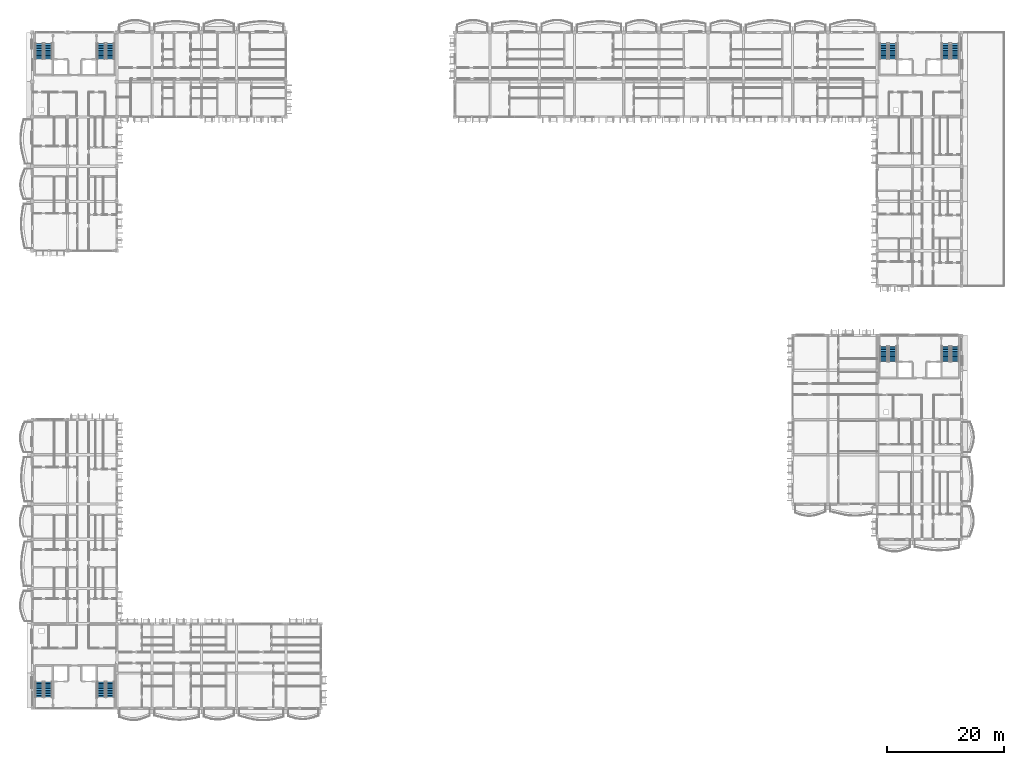
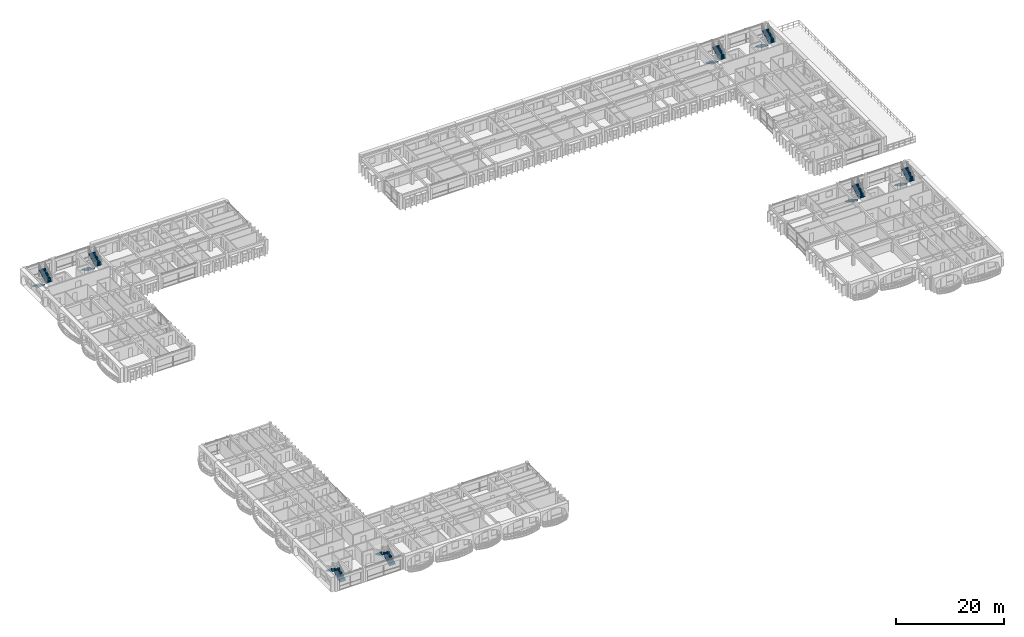
# One storey, part 46 of 68: 16 stair flights, 8 elements without a shape of their own.
"""IFC4 building model written with IfcOpenShell, lengths in metres."""

from ifc_helpers import new_model, si_unit, direction, frame, origin, place, context, subcontext, project, spatial, polyline, outline, extrude, material, type_object, element, aggregate, save


model = new_model("IFC4")

# Units and contexts
model_context = context("Model", 3, precision=1e-05, world=origin(), true_north=direction((0.0, 1.0)))
body_context = subcontext(model_context, "Body", "Model", "MODEL_VIEW")
ifc_project = project(units=[si_unit("LENGTHUNIT", "METRE"), si_unit("AREAUNIT", "SQUARE_METRE"), si_unit("VOLUMEUNIT", "CUBIC_METRE"), si_unit("PLANEANGLEUNIT", "RADIAN"), si_unit("MASSUNIT", "GRAM", prefix="KILO"), si_unit("THERMODYNAMICTEMPERATUREUNIT", "KELVIN")], contexts=[model_context])

# Site, building, storey
site_placement = place(None, origin())
site = spatial("IfcSite", under=ifc_project, at=site_placement, CompositionType="ELEMENT")
building_placement = place(site_placement, origin())
building = spatial("IfcBuilding", under=site, at=building_placement, Name="Thalorik Housing Commons", CompositionType="ELEMENT")
storey_placement = place(building_placement, frame((0.0, 0.0, 24.60009765625)))
storey = spatial("IfcBuildingStorey", under=building, at=storey_placement, Name="L07", CompositionType="ELEMENT", Elevation=24.60009765625)

# Stair, stair flights
ifc_material = material(Name="Precast concrete C40/50", Category="concrete")
stair_type = type_object("IfcStairType", Name="ARC-STR-1350-R20", PredefinedType="HALF_TURN_STAIR", material=ifc_material)
stair_1_placement = place(storey_placement, origin())
stair_1 = element("IfcStair", 1, at=stair_1_placement, inside=storey, type_object=stair_type, Name="L07 Block A Smoke-Proof Stair 1", PredefinedType="HALF_TURN_STAIR")
stair_flight_type = type_object("IfcStairFlightType", Name="ARC-SFLT-1350-R10", PredefinedType="STRAIGHT", material=ifc_material)
stair_flight_1_placement = place(storey_placement, frame((9.52490234375, 121.699951171875, 0.0), z_axis=(0.0, 0.0, 1.0), x_axis=(0.0, -1.0, 0.0)))
stair_flight_1 = element("IfcStairFlight", 2, at=stair_flight_1_placement, type_object=stair_flight_type, Name="ST-A1 flight 1", NumberOfRisers=10, NumberOfTreads=9, PredefinedType="STRAIGHT", RiserHeight=0.165, TreadLength=0.29, context=body_context, shape_type="SweptSolid", body=[
    extrude(outline(polyline([(0.0, 0.0), (0.0, 0.1650390625), (0.2900390625, 0.1650390625), (0.2900390625, 0.330078125), (0.580078125, 0.330078125), (0.580078125, 0.4951171875), (0.8701171875, 0.4951171875), (0.8701171875, 0.659912109375), (1.159912109375, 0.659912109375), (1.159912109375, 0.824951171875), (1.449951171875, 0.824951171875), (1.449951171875, 0.989990234375), (1.739990234375, 0.989990234375), (1.739990234375, 1.155029296875), (2.030029296875, 1.155029296875), (2.030029296875, 1.320068359375), (2.320068359375, 1.320068359375), (2.320068359375, 1.485107421875), (2.610107421875, 1.485107421875), (2.610107421875, 1.64990234375), (2.610107421875, 1.301025390625), (0.323486328125, 0.0), (0.0, 0.0)])), frame((0.0, 0.675048828125, 0.0), z_axis=(0.0, -1.0, 0.0), x_axis=(1.0, 0.0, 0.0)), (0.0, 0.0, 1.0), 1.35009765625),
])
stair_flight_2_placement = place(storey_placement, frame((11.074951171875, 119.090087890625, 1.64990234375), z_axis=(0.0, 0.0, 1.0), x_axis=(0.0, 1.0, 0.0)))
stair_flight_2 = element("IfcStairFlight", 3, at=stair_flight_2_placement, type_object=stair_flight_type, Name="ST-A1 flight 2", NumberOfRisers=10, NumberOfTreads=9, PredefinedType="STRAIGHT", RiserHeight=0.165, TreadLength=0.29, context=body_context, shape_type="SweptSolid", body=[
    extrude(outline(polyline([(0.0, 0.0), (0.0, 0.1650390625), (0.2900390625, 0.1650390625), (0.2900390625, 0.330078125), (0.580078125, 0.330078125), (0.580078125, 0.4951171875), (0.8701171875, 0.4951171875), (0.8701171875, 0.659912109375), (1.159912109375, 0.659912109375), (1.159912109375, 0.824951171875), (1.449951171875, 0.824951171875), (1.449951171875, 0.989990234375), (1.739990234375, 0.989990234375), (1.739990234375, 1.155029296875), (2.030029296875, 1.155029296875), (2.030029296875, 1.320068359375), (2.320068359375, 1.320068359375), (2.320068359375, 1.485107421875), (2.610107421875, 1.485107421875), (2.610107421875, 1.64990234375), (2.610107421875, 1.301025390625), (0.323486328125, 0.0), (0.0, 0.0)])), frame((0.0, 0.675048828125, 0.0), z_axis=(0.0, -1.0, 0.0), x_axis=(1.0, 0.0, 0.0)), (0.0, 0.0, 1.0), 1.35009765625),
])
aggregate(stair_1, [stair_flight_1, stair_flight_2])

stair_2_placement = place(storey_placement, origin())
stair_2 = element("IfcStair", 4, at=stair_2_placement, inside=storey, type_object=stair_type, Name="L07 Block A Smoke-Proof Stair 2", PredefinedType="HALF_TURN_STAIR")
stair_flight_3_placement = place(storey_placement, frame((20.125, 121.699951171875, 0.0), z_axis=(0.0, 0.0, 1.0), x_axis=(0.0, -1.0, 0.0)))
stair_flight_3 = element("IfcStairFlight", 5, at=stair_flight_3_placement, type_object=stair_flight_type, Name="ST-A2 flight 1", NumberOfRisers=10, NumberOfTreads=9, PredefinedType="STRAIGHT", RiserHeight=0.165, TreadLength=0.29, context=body_context, shape_type="SweptSolid", body=[
    extrude(outline(polyline([(0.0, 0.0), (0.0, 0.1650390625), (0.2900390625, 0.1650390625), (0.2900390625, 0.330078125), (0.580078125, 0.330078125), (0.580078125, 0.4951171875), (0.8701171875, 0.4951171875), (0.8701171875, 0.659912109375), (1.159912109375, 0.659912109375), (1.159912109375, 0.824951171875), (1.449951171875, 0.824951171875), (1.449951171875, 0.989990234375), (1.739990234375, 0.989990234375), (1.739990234375, 1.155029296875), (2.030029296875, 1.155029296875), (2.030029296875, 1.320068359375), (2.320068359375, 1.320068359375), (2.320068359375, 1.485107421875), (2.610107421875, 1.485107421875), (2.610107421875, 1.64990234375), (2.610107421875, 1.301025390625), (0.323486328125, 0.0), (0.0, 0.0)])), frame((0.0, 0.675048828125, 0.0), z_axis=(0.0, -1.0, 0.0), x_axis=(1.0, 0.0, 0.0)), (0.0, 0.0, 1.0), 1.35009765625),
])
stair_flight_4_placement = place(storey_placement, frame((21.675048828125, 119.090087890625, 1.64990234375), z_axis=(0.0, 0.0, 1.0), x_axis=(0.0, 1.0, 0.0)))
stair_flight_4 = element("IfcStairFlight", 6, at=stair_flight_4_placement, type_object=stair_flight_type, Name="ST-A2 flight 2", NumberOfRisers=10, NumberOfTreads=9, PredefinedType="STRAIGHT", RiserHeight=0.165, TreadLength=0.29, context=body_context, shape_type="SweptSolid", body=[
    extrude(outline(polyline([(0.0, 0.0), (0.0, 0.1650390625), (0.2900390625, 0.1650390625), (0.2900390625, 0.330078125), (0.580078125, 0.330078125), (0.580078125, 0.4951171875), (0.8701171875, 0.4951171875), (0.8701171875, 0.659912109375), (1.159912109375, 0.659912109375), (1.159912109375, 0.824951171875), (1.449951171875, 0.824951171875), (1.449951171875, 0.989990234375), (1.739990234375, 0.989990234375), (1.739990234375, 1.155029296875), (2.030029296875, 1.155029296875), (2.030029296875, 1.320068359375), (2.320068359375, 1.320068359375), (2.320068359375, 1.485107421875), (2.610107421875, 1.485107421875), (2.610107421875, 1.64990234375), (2.610107421875, 1.301025390625), (0.323486328125, 0.0), (0.0, 0.0)])), frame((0.0, 0.675048828125, 0.0), z_axis=(0.0, -1.0, 0.0), x_axis=(1.0, 0.0, 0.0)), (0.0, 0.0, 1.0), 1.35009765625),
])
aggregate(stair_2, [stair_flight_3, stair_flight_4])

stair_3_placement = place(storey_placement, origin())
stair_3 = element("IfcStair", 7, at=stair_3_placement, inside=storey, type_object=stair_type, Name="L07 Block B Smoke-Proof Stair 1", PredefinedType="HALF_TURN_STAIR")
stair_flight_5_placement = place(storey_placement, frame((153.52490234375, 121.699951171875, 0.0), z_axis=(0.0, 0.0, 1.0), x_axis=(0.0, -1.0, 0.0)))
stair_flight_5 = element("IfcStairFlight", 8, at=stair_flight_5_placement, type_object=stair_flight_type, Name="ST-B1 flight 1", NumberOfRisers=10, NumberOfTreads=9, PredefinedType="STRAIGHT", RiserHeight=0.165, TreadLength=0.29, context=body_context, shape_type="SweptSolid", body=[
    extrude(outline(polyline([(0.0, 0.0), (0.0, 0.1650390625), (0.2900390625, 0.1650390625), (0.2900390625, 0.330078125), (0.580078125, 0.330078125), (0.580078125, 0.4951171875), (0.8701171875, 0.4951171875), (0.8701171875, 0.659912109375), (1.159912109375, 0.659912109375), (1.159912109375, 0.824951171875), (1.449951171875, 0.824951171875), (1.449951171875, 0.989990234375), (1.739990234375, 0.989990234375), (1.739990234375, 1.155029296875), (2.030029296875, 1.155029296875), (2.030029296875, 1.320068359375), (2.320068359375, 1.320068359375), (2.320068359375, 1.485107421875), (2.610107421875, 1.485107421875), (2.610107421875, 1.64990234375), (2.610107421875, 1.301025390625), (0.323486328125, 0.0), (0.0, 0.0)])), frame((0.0, 0.675048828125, 0.0), z_axis=(0.0, -1.0, 0.0), x_axis=(1.0, 0.0, 0.0)), (0.0, 0.0, 1.0), 1.35009765625),
])
stair_flight_6_placement = place(storey_placement, frame((155.074951171875, 119.090087890625, 1.64990234375), z_axis=(0.0, 0.0, 1.0), x_axis=(0.0, 1.0, 0.0)))
stair_flight_6 = element("IfcStairFlight", 9, at=stair_flight_6_placement, type_object=stair_flight_type, Name="ST-B1 flight 2", NumberOfRisers=10, NumberOfTreads=9, PredefinedType="STRAIGHT", RiserHeight=0.165, TreadLength=0.29, context=body_context, shape_type="SweptSolid", body=[
    extrude(outline(polyline([(0.0, 0.0), (0.0, 0.1650390625), (0.2900390625, 0.1650390625), (0.2900390625, 0.330078125), (0.580078125, 0.330078125), (0.580078125, 0.4951171875), (0.8701171875, 0.4951171875), (0.8701171875, 0.659912109375), (1.159912109375, 0.659912109375), (1.159912109375, 0.824951171875), (1.449951171875, 0.824951171875), (1.449951171875, 0.989990234375), (1.739990234375, 0.989990234375), (1.739990234375, 1.155029296875), (2.030029296875, 1.155029296875), (2.030029296875, 1.320068359375), (2.320068359375, 1.320068359375), (2.320068359375, 1.485107421875), (2.610107421875, 1.485107421875), (2.610107421875, 1.64990234375), (2.610107421875, 1.301025390625), (0.323486328125, 0.0), (0.0, 0.0)])), frame((0.0, 0.675048828125, 0.0), z_axis=(0.0, -1.0, 0.0), x_axis=(1.0, 0.0, 0.0)), (0.0, 0.0, 1.0), 1.35009765625),
])
aggregate(stair_3, [stair_flight_5, stair_flight_6])

stair_4_placement = place(storey_placement, origin())
stair_4 = element("IfcStair", 10, at=stair_4_placement, inside=storey, type_object=stair_type, Name="L07 Block B Smoke-Proof Stair 2", PredefinedType="HALF_TURN_STAIR")
stair_flight_7_placement = place(storey_placement, frame((164.125, 121.699951171875, 0.0), z_axis=(0.0, 0.0, 1.0), x_axis=(0.0, -1.0, 0.0)))
stair_flight_7 = element("IfcStairFlight", 11, at=stair_flight_7_placement, type_object=stair_flight_type, Name="ST-B2 flight 1", NumberOfRisers=10, NumberOfTreads=9, PredefinedType="STRAIGHT", RiserHeight=0.165, TreadLength=0.29, context=body_context, shape_type="SweptSolid", body=[
    extrude(outline(polyline([(0.0, 0.0), (0.0, 0.1650390625), (0.2900390625, 0.1650390625), (0.2900390625, 0.330078125), (0.580078125, 0.330078125), (0.580078125, 0.4951171875), (0.8701171875, 0.4951171875), (0.8701171875, 0.659912109375), (1.159912109375, 0.659912109375), (1.159912109375, 0.824951171875), (1.449951171875, 0.824951171875), (1.449951171875, 0.989990234375), (1.739990234375, 0.989990234375), (1.739990234375, 1.155029296875), (2.030029296875, 1.155029296875), (2.030029296875, 1.320068359375), (2.320068359375, 1.320068359375), (2.320068359375, 1.485107421875), (2.610107421875, 1.485107421875), (2.610107421875, 1.64990234375), (2.610107421875, 1.301025390625), (0.323486328125, 0.0), (0.0, 0.0)])), frame((0.0, 0.675048828125, 0.0), z_axis=(0.0, -1.0, 0.0), x_axis=(1.0, 0.0, 0.0)), (0.0, 0.0, 1.0), 1.35009765625),
])
stair_flight_8_placement = place(storey_placement, frame((165.675048828125, 119.090087890625, 1.64990234375), z_axis=(0.0, 0.0, 1.0), x_axis=(0.0, 1.0, 0.0)))
stair_flight_8 = element("IfcStairFlight", 12, at=stair_flight_8_placement, type_object=stair_flight_type, Name="ST-B2 flight 2", NumberOfRisers=10, NumberOfTreads=9, PredefinedType="STRAIGHT", RiserHeight=0.165, TreadLength=0.29, context=body_context, shape_type="SweptSolid", body=[
    extrude(outline(polyline([(0.0, 0.0), (0.0, 0.1650390625), (0.2900390625, 0.1650390625), (0.2900390625, 0.330078125), (0.580078125, 0.330078125), (0.580078125, 0.4951171875), (0.8701171875, 0.4951171875), (0.8701171875, 0.659912109375), (1.159912109375, 0.659912109375), (1.159912109375, 0.824951171875), (1.449951171875, 0.824951171875), (1.449951171875, 0.989990234375), (1.739990234375, 0.989990234375), (1.739990234375, 1.155029296875), (2.030029296875, 1.155029296875), (2.030029296875, 1.320068359375), (2.320068359375, 1.320068359375), (2.320068359375, 1.485107421875), (2.610107421875, 1.485107421875), (2.610107421875, 1.64990234375), (2.610107421875, 1.301025390625), (0.323486328125, 0.0), (0.0, 0.0)])), frame((0.0, 0.675048828125, 0.0), z_axis=(0.0, -1.0, 0.0), x_axis=(1.0, 0.0, 0.0)), (0.0, 0.0, 1.0), 1.35009765625),
])
aggregate(stair_4, [stair_flight_7, stair_flight_8])

stair_5_placement = place(storey_placement, origin())
stair_5 = element("IfcStair", 13, at=stair_5_placement, inside=storey, type_object=stair_type, Name="L07 Block C Smoke-Proof Stair 1", PredefinedType="HALF_TURN_STAIR")
stair_flight_9_placement = place(storey_placement, frame((11.074951171875, 10.300048828125, 0.0), z_axis=(0.0, 0.0, 1.0), x_axis=(0.0, 1.0, 0.0)))
stair_flight_9 = element("IfcStairFlight", 14, at=stair_flight_9_placement, type_object=stair_flight_type, Name="ST-C1 flight 1", NumberOfRisers=10, NumberOfTreads=9, PredefinedType="STRAIGHT", RiserHeight=0.165, TreadLength=0.29, context=body_context, shape_type="SweptSolid", body=[
    extrude(outline(polyline([(0.0, 0.0), (0.0, 0.1650390625), (0.2900390625, 0.1650390625), (0.2900390625, 0.330078125), (0.580078125, 0.330078125), (0.580078125, 0.4951171875), (0.8701171875, 0.4951171875), (0.8701171875, 0.659912109375), (1.159912109375, 0.659912109375), (1.159912109375, 0.824951171875), (1.449951171875, 0.824951171875), (1.449951171875, 0.989990234375), (1.739990234375, 0.989990234375), (1.739990234375, 1.155029296875), (2.030029296875, 1.155029296875), (2.030029296875, 1.320068359375), (2.320068359375, 1.320068359375), (2.320068359375, 1.485107421875), (2.610107421875, 1.485107421875), (2.610107421875, 1.64990234375), (2.610107421875, 1.301025390625), (0.323486328125, 0.0), (0.0, 0.0)])), frame((0.0, 0.675048828125, 0.0), z_axis=(0.0, -1.0, 0.0), x_axis=(1.0, 0.0, 0.0)), (0.0, 0.0, 1.0), 1.35009765625),
])
stair_flight_10_placement = place(storey_placement, frame((9.52490234375, 12.909912109375, 1.64990234375), z_axis=(0.0, 0.0, 1.0), x_axis=(0.0, -1.0, 0.0)))
stair_flight_10 = element("IfcStairFlight", 15, at=stair_flight_10_placement, type_object=stair_flight_type, Name="ST-C1 flight 2", NumberOfRisers=10, NumberOfTreads=9, PredefinedType="STRAIGHT", RiserHeight=0.165, TreadLength=0.29, context=body_context, shape_type="SweptSolid", body=[
    extrude(outline(polyline([(0.0, 0.0), (0.0, 0.1650390625), (0.2900390625, 0.1650390625), (0.2900390625, 0.330078125), (0.580078125, 0.330078125), (0.580078125, 0.4951171875), (0.8701171875, 0.4951171875), (0.8701171875, 0.659912109375), (1.159912109375, 0.659912109375), (1.159912109375, 0.824951171875), (1.449951171875, 0.824951171875), (1.449951171875, 0.989990234375), (1.739990234375, 0.989990234375), (1.739990234375, 1.155029296875), (2.030029296875, 1.155029296875), (2.030029296875, 1.320068359375), (2.320068359375, 1.320068359375), (2.320068359375, 1.485107421875), (2.610107421875, 1.485107421875), (2.610107421875, 1.64990234375), (2.610107421875, 1.301025390625), (0.323486328125, 0.0), (0.0, 0.0)])), frame((0.0, 0.675048828125, 0.0), z_axis=(0.0, -1.0, 0.0), x_axis=(1.0, 0.0, 0.0)), (0.0, 0.0, 1.0), 1.35009765625),
])
aggregate(stair_5, [stair_flight_9, stair_flight_10])

stair_6_placement = place(storey_placement, origin())
stair_6 = element("IfcStair", 16, at=stair_6_placement, inside=storey, type_object=stair_type, Name="L07 Block C Smoke-Proof Stair 2", PredefinedType="HALF_TURN_STAIR")
stair_flight_11_placement = place(storey_placement, frame((21.675048828125, 10.300048828125, 0.0), z_axis=(0.0, 0.0, 1.0), x_axis=(0.0, 1.0, 0.0)))
stair_flight_11 = element("IfcStairFlight", 17, at=stair_flight_11_placement, type_object=stair_flight_type, Name="ST-C2 flight 1", NumberOfRisers=10, NumberOfTreads=9, PredefinedType="STRAIGHT", RiserHeight=0.165, TreadLength=0.29, context=body_context, shape_type="SweptSolid", body=[
    extrude(outline(polyline([(0.0, 0.0), (0.0, 0.1650390625), (0.2900390625, 0.1650390625), (0.2900390625, 0.330078125), (0.580078125, 0.330078125), (0.580078125, 0.4951171875), (0.8701171875, 0.4951171875), (0.8701171875, 0.659912109375), (1.159912109375, 0.659912109375), (1.159912109375, 0.824951171875), (1.449951171875, 0.824951171875), (1.449951171875, 0.989990234375), (1.739990234375, 0.989990234375), (1.739990234375, 1.155029296875), (2.030029296875, 1.155029296875), (2.030029296875, 1.320068359375), (2.320068359375, 1.320068359375), (2.320068359375, 1.485107421875), (2.610107421875, 1.485107421875), (2.610107421875, 1.64990234375), (2.610107421875, 1.301025390625), (0.323486328125, 0.0), (0.0, 0.0)])), frame((0.0, 0.675048828125, 0.0), z_axis=(0.0, -1.0, 0.0), x_axis=(1.0, 0.0, 0.0)), (0.0, 0.0, 1.0), 1.35009765625),
])
stair_flight_12_placement = place(storey_placement, frame((20.125, 12.909912109375, 1.64990234375), z_axis=(0.0, 0.0, 1.0), x_axis=(0.0, -1.0, 0.0)))
stair_flight_12 = element("IfcStairFlight", 18, at=stair_flight_12_placement, type_object=stair_flight_type, Name="ST-C2 flight 2", NumberOfRisers=10, NumberOfTreads=9, PredefinedType="STRAIGHT", RiserHeight=0.165, TreadLength=0.29, context=body_context, shape_type="SweptSolid", body=[
    extrude(outline(polyline([(0.0, 0.0), (0.0, 0.1650390625), (0.2900390625, 0.1650390625), (0.2900390625, 0.330078125), (0.580078125, 0.330078125), (0.580078125, 0.4951171875), (0.8701171875, 0.4951171875), (0.8701171875, 0.659912109375), (1.159912109375, 0.659912109375), (1.159912109375, 0.824951171875), (1.449951171875, 0.824951171875), (1.449951171875, 0.989990234375), (1.739990234375, 0.989990234375), (1.739990234375, 1.155029296875), (2.030029296875, 1.155029296875), (2.030029296875, 1.320068359375), (2.320068359375, 1.320068359375), (2.320068359375, 1.485107421875), (2.610107421875, 1.485107421875), (2.610107421875, 1.64990234375), (2.610107421875, 1.301025390625), (0.323486328125, 0.0), (0.0, 0.0)])), frame((0.0, 0.675048828125, 0.0), z_axis=(0.0, -1.0, 0.0), x_axis=(1.0, 0.0, 0.0)), (0.0, 0.0, 1.0), 1.35009765625),
])
aggregate(stair_6, [stair_flight_11, stair_flight_12])

stair_7_placement = place(storey_placement, origin())
stair_7 = element("IfcStair", 19, at=stair_7_placement, inside=storey, type_object=stair_type, Name="L07 Block D Smoke-Proof Stair 1", PredefinedType="HALF_TURN_STAIR")
stair_flight_13_placement = place(storey_placement, frame((153.52490234375, 70.10009765625, 0.0), z_axis=(0.0, 0.0, 1.0), x_axis=(0.0, -1.0, 0.0)))
stair_flight_13 = element("IfcStairFlight", 20, at=stair_flight_13_placement, type_object=stair_flight_type, Name="ST-D1 flight 1", NumberOfRisers=10, NumberOfTreads=9, PredefinedType="STRAIGHT", RiserHeight=0.165, TreadLength=0.29, context=body_context, shape_type="SweptSolid", body=[
    extrude(outline(polyline([(0.0, 0.0), (0.0, 0.1650390625), (0.2900390625, 0.1650390625), (0.2900390625, 0.330078125), (0.580078125, 0.330078125), (0.580078125, 0.4951171875), (0.8701171875, 0.4951171875), (0.8701171875, 0.659912109375), (1.159912109375, 0.659912109375), (1.159912109375, 0.824951171875), (1.449951171875, 0.824951171875), (1.449951171875, 0.989990234375), (1.739990234375, 0.989990234375), (1.739990234375, 1.155029296875), (2.030029296875, 1.155029296875), (2.030029296875, 1.320068359375), (2.320068359375, 1.320068359375), (2.320068359375, 1.485107421875), (2.610107421875, 1.485107421875), (2.610107421875, 1.64990234375), (2.610107421875, 1.301025390625), (0.323486328125, 0.0), (0.0, 0.0)])), frame((0.0, 0.675048828125, 0.0), z_axis=(0.0, -1.0, 0.0), x_axis=(1.0, 0.0, 0.0)), (0.0, 0.0, 1.0), 1.35009765625),
])
stair_flight_14_placement = place(storey_placement, frame((155.074951171875, 67.489990234375, 1.64990234375), z_axis=(0.0, 0.0, 1.0), x_axis=(0.0, 1.0, 0.0)))
stair_flight_14 = element("IfcStairFlight", 21, at=stair_flight_14_placement, type_object=stair_flight_type, Name="ST-D1 flight 2", NumberOfRisers=10, NumberOfTreads=9, PredefinedType="STRAIGHT", RiserHeight=0.165, TreadLength=0.29, context=body_context, shape_type="SweptSolid", body=[
    extrude(outline(polyline([(0.0, 0.0), (0.0, 0.1650390625), (0.2900390625, 0.1650390625), (0.2900390625, 0.330078125), (0.580078125, 0.330078125), (0.580078125, 0.4951171875), (0.8701171875, 0.4951171875), (0.8701171875, 0.659912109375), (1.159912109375, 0.659912109375), (1.159912109375, 0.824951171875), (1.449951171875, 0.824951171875), (1.449951171875, 0.989990234375), (1.739990234375, 0.989990234375), (1.739990234375, 1.155029296875), (2.030029296875, 1.155029296875), (2.030029296875, 1.320068359375), (2.320068359375, 1.320068359375), (2.320068359375, 1.485107421875), (2.610107421875, 1.485107421875), (2.610107421875, 1.64990234375), (2.610107421875, 1.301025390625), (0.323486328125, 0.0), (0.0, 0.0)])), frame((0.0, 0.675048828125, 0.0), z_axis=(0.0, -1.0, 0.0), x_axis=(1.0, 0.0, 0.0)), (0.0, 0.0, 1.0), 1.35009765625),
])
aggregate(stair_7, [stair_flight_13, stair_flight_14])

stair_8_placement = place(storey_placement, origin())
stair_8 = element("IfcStair", 22, at=stair_8_placement, inside=storey, type_object=stair_type, Name="L07 Block D Smoke-Proof Stair 2", PredefinedType="HALF_TURN_STAIR")
stair_flight_15_placement = place(storey_placement, frame((164.125, 70.10009765625, 0.0), z_axis=(0.0, 0.0, 1.0), x_axis=(0.0, -1.0, 0.0)))
stair_flight_15 = element("IfcStairFlight", 23, at=stair_flight_15_placement, type_object=stair_flight_type, Name="ST-D2 flight 1", NumberOfRisers=10, NumberOfTreads=9, PredefinedType="STRAIGHT", RiserHeight=0.165, TreadLength=0.29, context=body_context, shape_type="SweptSolid", body=[
    extrude(outline(polyline([(0.0, 0.0), (0.0, 0.1650390625), (0.2900390625, 0.1650390625), (0.2900390625, 0.330078125), (0.580078125, 0.330078125), (0.580078125, 0.4951171875), (0.8701171875, 0.4951171875), (0.8701171875, 0.659912109375), (1.159912109375, 0.659912109375), (1.159912109375, 0.824951171875), (1.449951171875, 0.824951171875), (1.449951171875, 0.989990234375), (1.739990234375, 0.989990234375), (1.739990234375, 1.155029296875), (2.030029296875, 1.155029296875), (2.030029296875, 1.320068359375), (2.320068359375, 1.320068359375), (2.320068359375, 1.485107421875), (2.610107421875, 1.485107421875), (2.610107421875, 1.64990234375), (2.610107421875, 1.301025390625), (0.323486328125, 0.0), (0.0, 0.0)])), frame((0.0, 0.675048828125, 0.0), z_axis=(0.0, -1.0, 0.0), x_axis=(1.0, 0.0, 0.0)), (0.0, 0.0, 1.0), 1.35009765625),
])
stair_flight_16_placement = place(storey_placement, frame((165.675048828125, 67.489990234375, 1.64990234375), z_axis=(0.0, 0.0, 1.0), x_axis=(0.0, 1.0, 0.0)))
stair_flight_16 = element("IfcStairFlight", 24, at=stair_flight_16_placement, type_object=stair_flight_type, Name="ST-D2 flight 2", NumberOfRisers=10, NumberOfTreads=9, PredefinedType="STRAIGHT", RiserHeight=0.165, TreadLength=0.29, context=body_context, shape_type="SweptSolid", body=[
    extrude(outline(polyline([(0.0, 0.0), (0.0, 0.1650390625), (0.2900390625, 0.1650390625), (0.2900390625, 0.330078125), (0.580078125, 0.330078125), (0.580078125, 0.4951171875), (0.8701171875, 0.4951171875), (0.8701171875, 0.659912109375), (1.159912109375, 0.659912109375), (1.159912109375, 0.824951171875), (1.449951171875, 0.824951171875), (1.449951171875, 0.989990234375), (1.739990234375, 0.989990234375), (1.739990234375, 1.155029296875), (2.030029296875, 1.155029296875), (2.030029296875, 1.320068359375), (2.320068359375, 1.320068359375), (2.320068359375, 1.485107421875), (2.610107421875, 1.485107421875), (2.610107421875, 1.64990234375), (2.610107421875, 1.301025390625), (0.323486328125, 0.0), (0.0, 0.0)])), frame((0.0, 0.675048828125, 0.0), z_axis=(0.0, -1.0, 0.0), x_axis=(1.0, 0.0, 0.0)), (0.0, 0.0, 1.0), 1.35009765625),
])
aggregate(stair_8, [stair_flight_15, stair_flight_16])

save(model, "model.ifc")
